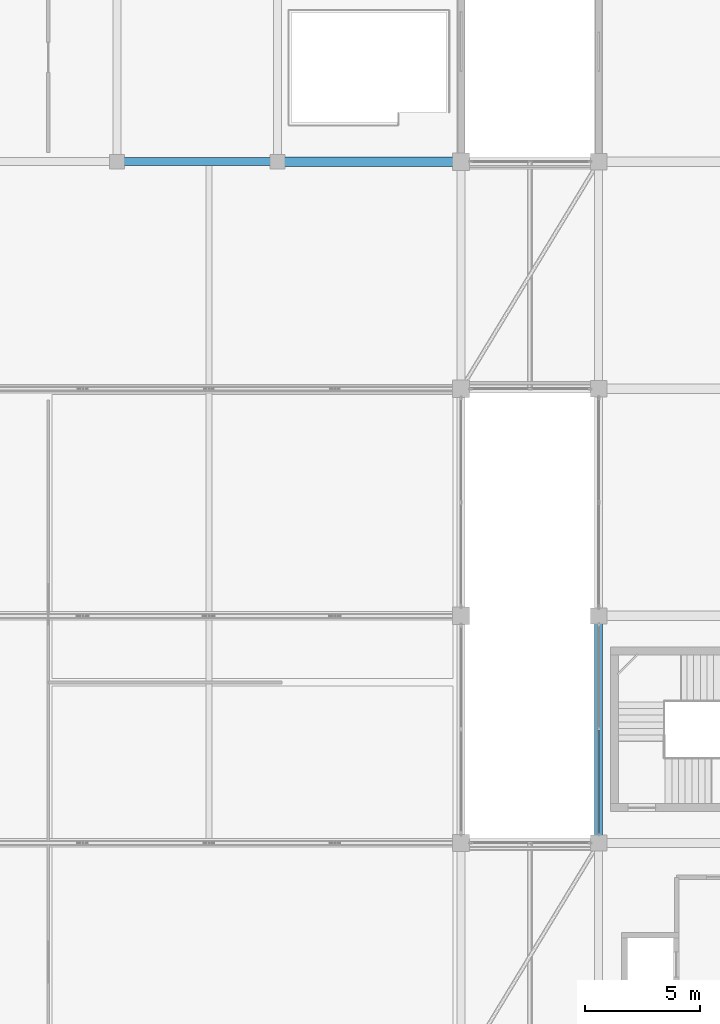
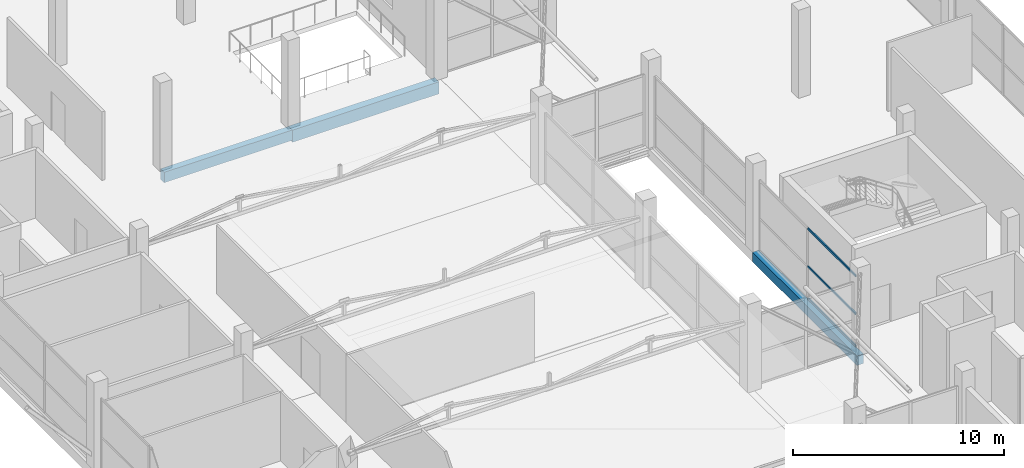
# One storey, part 31 of 67: 3 beams, 3 members, 1 element without a shape of its own.
"""IFC4 building model written with IfcOpenShell, lengths in metres."""

from ifc_helpers import new_model, si_unit, direction, frame, origin, origin_2d, place, context, subcontext, project, spatial, rectangle, hollow_rectangle, extrude, material, layer, layer_set, material_profile, profile_set, type_object, element, aggregate, save


model = new_model("IFC4")

# Units and contexts
model_context = context("Model", 3, precision=1e-05, world=origin(), true_north=direction((0.0, 1.0)))
body_context = subcontext(model_context, "Body", "Model", "MODEL_VIEW")
ifc_project = project(units=[si_unit("LENGTHUNIT", "METRE"), si_unit("AREAUNIT", "SQUARE_METRE"), si_unit("VOLUMEUNIT", "CUBIC_METRE"), si_unit("PLANEANGLEUNIT", "RADIAN"), si_unit("MASSUNIT", "GRAM", prefix="KILO")], contexts=[model_context])

# Site, building, storey
site_placement = place(None, origin())
site = spatial("IfcSite", under=ifc_project, at=site_placement, CompositionType="ELEMENT")
building_placement = place(site_placement, origin())
building = spatial("IfcBuilding", under=site, at=building_placement, Name="Sillaruma Civic Art Gallery", CompositionType="ELEMENT")
storey_placement = place(building_placement, frame((0.0, 0.0, 46.919921875)))
storey = spatial("IfcBuildingStorey", under=building, at=storey_placement, Name="L09", CompositionType="ELEMENT", Elevation=46.919921875)

# Beams
ifc_material_1 = material(Name="Concrete H35 (35 MPa)", Category="concrete")
ifc_material_profile_1 = material_profile(ifc_material_1, rectangle(XDim=0.35009765625, YDim=0.60009765625, at=origin_2d()), Name="RCB350x600")
ifc_profile_set_1 = profile_set([ifc_material_profile_1], Name="Concrete H35 (35 MPa)")
beam_type_1 = type_object("IfcBeamType", Name="BM-BEAM-RCB350x600", PredefinedType="BEAM", material=ifc_profile_set_1)
beam_1_placement = place(storey_placement, frame((77.0, 79.199951171875, -0.5498046875), z_axis=(1.0, 0.0, 0.0), x_axis=(0.0, 1.0, 0.0)))
element("IfcBeam", 1, at=beam_1_placement, inside=storey, type_object=beam_type_1, Name="Beam BM-06 (L08:9:H-J)", PredefinedType="BEAM", context=body_context, shape_type="SweptSolid", body=[
    extrude(rectangle(XDim=0.35009765625, YDim=0.60009765625, at=origin_2d()), origin(), (0.0, 0.0, 1.0), 7.0),
])
ifc_material_profile_2 = material_profile(ifc_material_1, rectangle(XDim=0.39990234375, YDim=0.699951171875, at=origin_2d()), Name="RCB400x700")
ifc_profile_set_2 = profile_set([ifc_material_profile_2], Name="Concrete H35 (35 MPa)")
beam_type_2 = type_object("IfcBeamType", Name="BM-BEAM-RCB400x700", PredefinedType="BEAM", material=ifc_profile_set_2)
beam_2_placement = place(storey_placement, frame((84.0, 79.199951171875, -0.599853515625), z_axis=(1.0, 0.0, 0.0), x_axis=(0.0, 1.0, 0.0)))
element("IfcBeam", 2, at=beam_2_placement, inside=storey, type_object=beam_type_2, Name="Beam BM-04 (L08:9:J-K)", PredefinedType="BEAM", context=body_context, shape_type="SweptSolid", body=[
    extrude(rectangle(XDim=0.39990234375, YDim=0.699951171875, at=origin_2d()), origin(), (0.0, 0.0, 1.0), 8.0),
])
ifc_material_profile_3 = material_profile(ifc_material_1, rectangle(XDim=0.35009765625, YDim=0.550048828125, at=origin_2d()), Name="RCB350x550")
ifc_profile_set_3 = profile_set([ifc_material_profile_3], Name="Concrete H35 (35 MPa)")
beam_type_3 = type_object("IfcBeamType", Name="BM-SPANDREL-RCB350x550", PredefinedType="SPANDREL", material=ifc_profile_set_3)
beam_3_placement = place(storey_placement, frame((98.0, 49.5, -0.52490234375), z_axis=(0.0, 1.0, 0.0), x_axis=(-1.0, 0.0, 0.0)))
element("IfcBeam", 3, at=beam_3_placement, inside=storey, type_object=beam_type_3, Name="Beam BS-04 (L08:L:6-7)", PredefinedType="SPANDREL", context=body_context, shape_type="SweptSolid", body=[
    extrude(rectangle(XDim=0.35009765625, YDim=0.550048828125, at=origin_2d()), origin(), (0.0, 0.0, 1.0), 9.89990234375),
])

# Curtain wall, members
ifc_material_2 = material(Name="Thermally Broken Extruded Aluminium 6063-T6", Category="aluminium")
ifc_layer = layer(ifc_material_2, 0.139892578125, Name="Thermally Broken Extruded Aluminium 6063-T6")
ifc_layer_set = layer_set([ifc_layer], Name="Thermally Broken Extruded Aluminium 6063-T6")
curtain_wall_type = type_object("IfcCurtainWallType", Name="CW-UNI-70", PredefinedType="NOTDEFINED", material=ifc_layer_set)
curtain_wall_placement = place(storey_placement, origin())
curtain_wall = element("IfcCurtainWall", 4, at=curtain_wall_placement, inside=storey, type_object=curtain_wall_type, Name="Unitised Curtain Wall CW-70 (CW-L09-EBW-4)", PredefinedType="NOTDEFINED")
ifc_material_profile_4 = material_profile(ifc_material_2, hollow_rectangle(XDim=0.06494140625, YDim=0.1201171875, WallThickness=0.00341796875, at=origin_2d()), Name="CWT65x120")
ifc_profile_set_4 = profile_set([ifc_material_profile_4], Name="Thermally Broken Extruded Aluminium 6063-T6")
member_type = type_object("IfcMemberType", Name="MEM-TRN-CWT65x120", PredefinedType="USERDEFINED", material=ifc_profile_set_4)
member_1_placement = place(storey_placement, frame((98.0, 49.909912109375, 0.032470703125), z_axis=(0.0, 1.0, 0.0), x_axis=(-1.0, 0.0, 0.0)))
member_1 = element("IfcMember", 5, at=member_1_placement, type_object=member_type, Name="CW-70 transom 1.1", ObjectType="TRANSOM", PredefinedType="USERDEFINED", context=body_context, shape_type="SweptSolid", body=[
    extrude(hollow_rectangle(XDim=0.06494140625, YDim=0.1201171875, WallThickness=0.00341796875, at=origin_2d()), origin(), (0.0, 0.0, 1.0), 4.510009765625),
])
member_2_placement = place(storey_placement, frame((98.0, 49.909912109375, 1.885986328125), z_axis=(0.0, 1.0, 0.0), x_axis=(-1.0, 0.0, 0.0)))
member_2 = element("IfcMember", 6, at=member_2_placement, type_object=member_type, Name="CW-70 transom 1.2", ObjectType="TRANSOM", PredefinedType="USERDEFINED", context=body_context, shape_type="SweptSolid", body=[
    extrude(hollow_rectangle(XDim=0.06494140625, YDim=0.1201171875, WallThickness=0.00341796875, at=origin_2d()), origin(), (0.0, 0.0, 1.0), 4.510009765625),
])
member_3_placement = place(storey_placement, frame((98.0, 49.909912109375, 4.067626953125), z_axis=(0.0, 1.0, 0.0), x_axis=(-1.0, 0.0, 0.0)))
member_3 = element("IfcMember", 7, at=member_3_placement, type_object=member_type, Name="CW-70 transom 1.3", ObjectType="TRANSOM", PredefinedType="USERDEFINED", context=body_context, shape_type="SweptSolid", body=[
    extrude(hollow_rectangle(XDim=0.06494140625, YDim=0.1201171875, WallThickness=0.00341796875, at=origin_2d()), origin(), (0.0, 0.0, 1.0), 4.510009765625),
])
aggregate(curtain_wall, [member_1, member_2, member_3])

save(model, "model.ifc")
